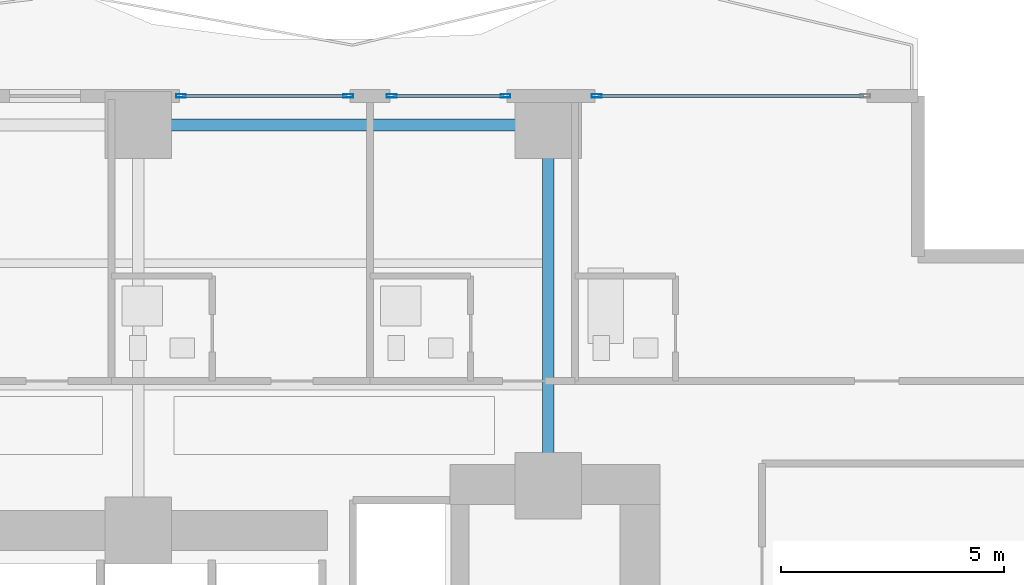
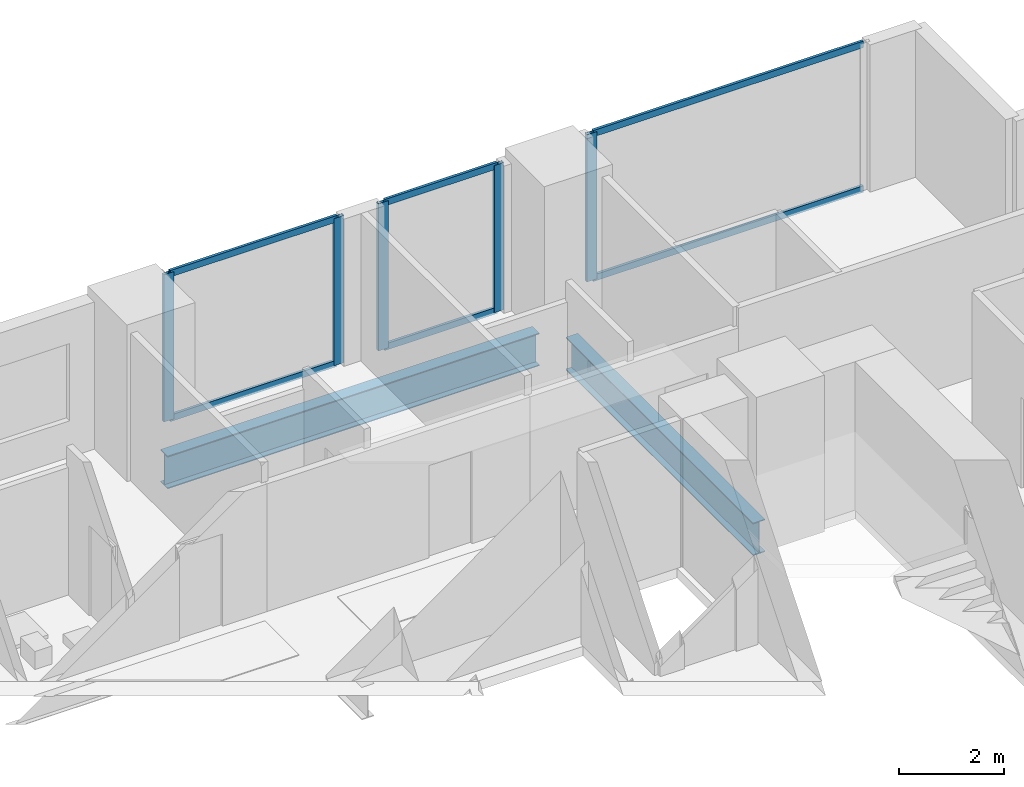
# One storey, part 15 of 28: 11 members, 2 beams, 3 elements without a shape of their own.
"""IFC4 building model written with IfcOpenShell, lengths in metres."""

from ifc_helpers import new_model, si_unit, direction, frame, origin, origin_2d, place, context, subcontext, project, spatial, hollow_rectangle, i_section, extrude, material, layer, layer_set, material_profile, profile_set, type_object, element, aggregate, save


model = new_model("IFC4")

# Units and contexts
model_context = context("Model", 3, precision=1e-05, world=origin(), true_north=direction((0.0, 1.0)))
body_context = subcontext(model_context, "Body", "Model", "MODEL_VIEW")
ifc_project = project(units=[si_unit("LENGTHUNIT", "METRE"), si_unit("AREAUNIT", "SQUARE_METRE"), si_unit("VOLUMEUNIT", "CUBIC_METRE"), si_unit("PLANEANGLEUNIT", "RADIAN"), si_unit("MASSUNIT", "GRAM", prefix="KILO")], contexts=[model_context])

# Site, building, storey
site_placement = place(None, origin())
site = spatial("IfcSite", under=ifc_project, at=site_placement, CompositionType="ELEMENT")
building_placement = place(site_placement, origin())
building = spatial("IfcBuilding", under=site, at=building_placement, Name="Zuhayl Quay Hotel", CompositionType="ELEMENT")
storey_placement = place(building_placement, frame((0.0, 0.0, 34.89990234375)))
storey = spatial("IfcBuildingStorey", under=building, at=storey_placement, Name="L07", CompositionType="ELEMENT", Elevation=34.89990234375)

# Beams
ifc_material_1 = material(Name="Steel ASTM A992 Grade 50", Category="steel")
ifc_material_profile_1 = material_profile(ifc_material_1, i_section(OverallWidth=0.26708984375, OverallDepth=0.761962890625, WebThickness=0.014404296875, FlangeThickness=0.021484375, at=origin_2d()), Name="W30X116")
ifc_profile_set_1 = profile_set([ifc_material_profile_1], Name="Steel ASTM A992 Grade 50")
beam_type = type_object("IfcBeamType", Name="BM_B1_W30X116", PredefinedType="BEAM", material=ifc_profile_set_1)
beam_1_placement = place(storey_placement, frame((13.300048828125, 22.449951171875, -0.600830078125), z_axis=(-1.0, 0.0, 0.0), x_axis=(0.0, -1.0, 0.0)))
element("IfcBeam", 1, at=beam_1_placement, inside=storey, type_object=beam_type, Name="L07 Floor Beam RG_L07_07", PredefinedType="BEAM", context=body_context, shape_type="SweptSolid", body=[
    extrude(i_section(OverallWidth=0.26708984375, OverallDepth=0.761962890625, WebThickness=0.014404296875, FlangeThickness=0.021484375, at=origin_2d()), origin(), (0.0, 0.0, 1.0), 8.199951171875),
])
beam_2_placement = place(storey_placement, frame((13.800048828125, 14.800048828125, -0.600830078125), z_axis=(0.0, 1.0, 0.0), x_axis=(-1.0, 0.0, 0.0)))
element("IfcBeam", 2, at=beam_2_placement, inside=storey, type_object=beam_type, Name="L07 Floor Beam FG_N_L07_4", PredefinedType="BEAM", context=body_context, shape_type="SweptSolid", body=[
    extrude(i_section(OverallWidth=0.26708984375, OverallDepth=0.761962890625, WebThickness=0.014404296875, FlangeThickness=0.021484375, at=origin_2d()), origin(), (0.0, 0.0, 1.0), 7.14990234375),
])

# Curtain wall, members
ifc_material_2 = material(Name="Anodised Aluminium 6063-T6", Category="aluminium")
ifc_layer = layer(ifc_material_2, 0.18994140625, Name="Anodised Aluminium 6063-T6", Category="aluminium")
ifc_layer_set = layer_set([ifc_layer], Name="Anodised Aluminium 6063-T6")
curtain_wall_type = type_object("IfcCurtainWallType", Name="CW_SYS_Z1", PredefinedType="USERDEFINED", material=ifc_layer_set)
curtain_wall_1_placement = place(storey_placement, origin())
curtain_wall_1 = element("IfcCurtainWall", 3, at=curtain_wall_1_placement, inside=storey, type_object=curtain_wall_type, Name="L07 Curtain Wall ENV_L07_N_CW2", ObjectType="UNITISED CURTAIN WALL", PredefinedType="USERDEFINED")
ifc_material_3 = material(Name="Black-anodised aluminium 6063-T6", Category="aluminium")
ifc_material_profile_2 = material_profile(ifc_material_3, hollow_rectangle(XDim=0.074951171875, YDim=0.219970703125, WallThickness=0.00390625, at=origin_2d()), Name="ALU220X75")
ifc_profile_set_2 = profile_set([ifc_material_profile_2], Name="Black-anodised aluminium 6063-T6")
member_type_1 = type_object("IfcMemberType", Name="MB_CW_MUL_220", PredefinedType="MULLION", material=ifc_profile_set_2)
member_1_placement = place(storey_placement, frame((5.5576171875, 23.10009765625, 0.0), z_axis=(0.0, 0.0, 1.0), x_axis=(0.0, 1.0, 0.0)))
member_1 = element("IfcMember", 4, at=member_1_placement, type_object=member_type_1, Name="CW-Z1 mullion 1", PredefinedType="MULLION", context=body_context, shape_type="SweptSolid", body=[
    extrude(hollow_rectangle(XDim=0.074951171875, YDim=0.219970703125, WallThickness=0.00390625, at=origin_2d()), origin(), (0.0, 0.0, 1.0), 3.43017578125),
])
member_2_placement = place(storey_placement, frame((9.3125, 23.10009765625, 0.0), z_axis=(0.0, 0.0, 1.0), x_axis=(0.0, 1.0, 0.0)))
member_2 = element("IfcMember", 5, at=member_2_placement, type_object=member_type_1, Name="CW-Z1 mullion 2", PredefinedType="MULLION", context=body_context, shape_type="SweptSolid", body=[
    extrude(hollow_rectangle(XDim=0.074951171875, YDim=0.219970703125, WallThickness=0.00390625, at=origin_2d()), origin(), (0.0, 0.0, 1.0), 3.43017578125),
])

curtain_wall_2_placement = place(storey_placement, origin())
curtain_wall_2 = element("IfcCurtainWall", 6, at=curtain_wall_2_placement, inside=storey, type_object=curtain_wall_type, Name="L07 Curtain Wall ENV_L07_N_CW3", ObjectType="UNITISED CURTAIN WALL", PredefinedType="USERDEFINED")
member_3_placement = place(storey_placement, frame((10.28759765625, 23.10009765625, 0.0), z_axis=(0.0, 0.0, 1.0), x_axis=(0.0, 1.0, 0.0)))
member_3 = element("IfcMember", 7, at=member_3_placement, type_object=member_type_1, Name="CW-Z1 mullion 1", PredefinedType="MULLION", context=body_context, shape_type="SweptSolid", body=[
    extrude(hollow_rectangle(XDim=0.074951171875, YDim=0.219970703125, WallThickness=0.00390625, at=origin_2d()), origin(), (0.0, 0.0, 1.0), 3.43017578125),
])
member_4_placement = place(storey_placement, frame((12.842529296875, 23.10009765625, 0.0), z_axis=(0.0, 0.0, 1.0), x_axis=(0.0, 1.0, 0.0)))
member_4 = element("IfcMember", 8, at=member_4_placement, type_object=member_type_1, Name="CW-Z1 mullion 2", PredefinedType="MULLION", context=body_context, shape_type="SweptSolid", body=[
    extrude(hollow_rectangle(XDim=0.074951171875, YDim=0.219970703125, WallThickness=0.00390625, at=origin_2d()), origin(), (0.0, 0.0, 1.0), 3.43017578125),
])

# Curtain wall, member
curtain_wall_3_placement = place(storey_placement, origin())
curtain_wall_3 = element("IfcCurtainWall", 9, at=curtain_wall_3_placement, inside=storey, type_object=curtain_wall_type, Name="L07 Curtain Wall ENV_L07_N_CW4", ObjectType="UNITISED CURTAIN WALL", PredefinedType="USERDEFINED")
member_5_placement = place(storey_placement, frame((14.887451171875, 23.10009765625, 0.0), z_axis=(0.0, 0.0, 1.0), x_axis=(0.0, 1.0, 0.0)))
member_5 = element("IfcMember", 10, at=member_5_placement, type_object=member_type_1, Name="CW-Z1 mullion 1", PredefinedType="MULLION", context=body_context, shape_type="SweptSolid", body=[
    extrude(hollow_rectangle(XDim=0.074951171875, YDim=0.219970703125, WallThickness=0.00390625, at=origin_2d()), origin(), (0.0, 0.0, 1.0), 3.43017578125),
])

# Member
ifc_material_profile_3 = material_profile(ifc_material_3, hollow_rectangle(XDim=0.06005859375, YDim=0.14990234375, WallThickness=0.00341796875, at=origin_2d()), Name="ALU150X60")
ifc_profile_set_3 = profile_set([ifc_material_profile_3], Name="Black-anodised aluminium 6063-T6")
member_type_2 = type_object("IfcMemberType", Name="MB_CW_TRN_150", PredefinedType="USERDEFINED", material=ifc_profile_set_3)
member_6_placement = place(storey_placement, frame((5.594970703125, 23.10009765625, 0.030029296875), z_axis=(1.0, 0.0, 0.0), x_axis=(0.0, 1.0, 0.0)))
member_6 = element("IfcMember", 11, at=member_6_placement, type_object=member_type_2, Name="CW-Z1 transom 1.1", ObjectType="TRANSOM", PredefinedType="USERDEFINED", context=body_context, shape_type="SweptSolid", body=[
    extrude(hollow_rectangle(XDim=0.06005859375, YDim=0.14990234375, WallThickness=0.00341796875, at=origin_2d()), origin(), (0.0, 0.0, 1.0), 3.679931640625),
])

member_7_placement = place(storey_placement, frame((5.594970703125, 23.10009765625, 3.400146484375), z_axis=(1.0, 0.0, 0.0), x_axis=(0.0, 1.0, 0.0)))
member_7 = element("IfcMember", 12, at=member_7_placement, type_object=member_type_2, Name="CW-Z1 transom 1.2", ObjectType="TRANSOM", PredefinedType="USERDEFINED", context=body_context, shape_type="SweptSolid", body=[
    extrude(hollow_rectangle(XDim=0.06005859375, YDim=0.14990234375, WallThickness=0.00341796875, at=origin_2d()), origin(), (0.0, 0.0, 1.0), 3.679931640625),
])

aggregate(curtain_wall_1, [member_1, member_2, member_6, member_7])

member_8_placement = place(storey_placement, frame((10.324951171875, 23.10009765625, 0.030029296875), z_axis=(1.0, 0.0, 0.0), x_axis=(0.0, 1.0, 0.0)))
member_8 = element("IfcMember", 13, at=member_8_placement, type_object=member_type_2, Name="CW-Z1 transom 1.1", ObjectType="TRANSOM", PredefinedType="USERDEFINED", context=body_context, shape_type="SweptSolid", body=[
    extrude(hollow_rectangle(XDim=0.06005859375, YDim=0.14990234375, WallThickness=0.00341796875, at=origin_2d()), origin(), (0.0, 0.0, 1.0), 2.47998046875),
])

member_9_placement = place(storey_placement, frame((10.324951171875, 23.10009765625, 3.400146484375), z_axis=(1.0, 0.0, 0.0), x_axis=(0.0, 1.0, 0.0)))
member_9 = element("IfcMember", 14, at=member_9_placement, type_object=member_type_2, Name="CW-Z1 transom 1.2", ObjectType="TRANSOM", PredefinedType="USERDEFINED", context=body_context, shape_type="SweptSolid", body=[
    extrude(hollow_rectangle(XDim=0.06005859375, YDim=0.14990234375, WallThickness=0.00341796875, at=origin_2d()), origin(), (0.0, 0.0, 1.0), 2.47998046875),
])

aggregate(curtain_wall_2, [member_3, member_4, member_8, member_9])

member_10_placement = place(storey_placement, frame((14.925048828125, 23.10009765625, 0.030029296875), z_axis=(1.0, 0.0, 0.0), x_axis=(0.0, 1.0, 0.0)))
member_10 = element("IfcMember", 15, at=member_10_placement, type_object=member_type_2, Name="CW-Z1 transom 1.1", ObjectType="TRANSOM", PredefinedType="USERDEFINED", context=body_context, shape_type="SweptSolid", body=[
    extrude(hollow_rectangle(XDim=0.06005859375, YDim=0.14990234375, WallThickness=0.00341796875, at=origin_2d()), origin(), (0.0, 0.0, 1.0), 5.949951171875),
])

member_11_placement = place(storey_placement, frame((14.925048828125, 23.10009765625, 3.400146484375), z_axis=(1.0, 0.0, 0.0), x_axis=(0.0, 1.0, 0.0)))
member_11 = element("IfcMember", 16, at=member_11_placement, type_object=member_type_2, Name="CW-Z1 transom 1.2", ObjectType="TRANSOM", PredefinedType="USERDEFINED", context=body_context, shape_type="SweptSolid", body=[
    extrude(hollow_rectangle(XDim=0.06005859375, YDim=0.14990234375, WallThickness=0.00341796875, at=origin_2d()), origin(), (0.0, 0.0, 1.0), 5.949951171875),
])

aggregate(curtain_wall_3, [member_5, member_10, member_11])

save(model, "model.ifc")
